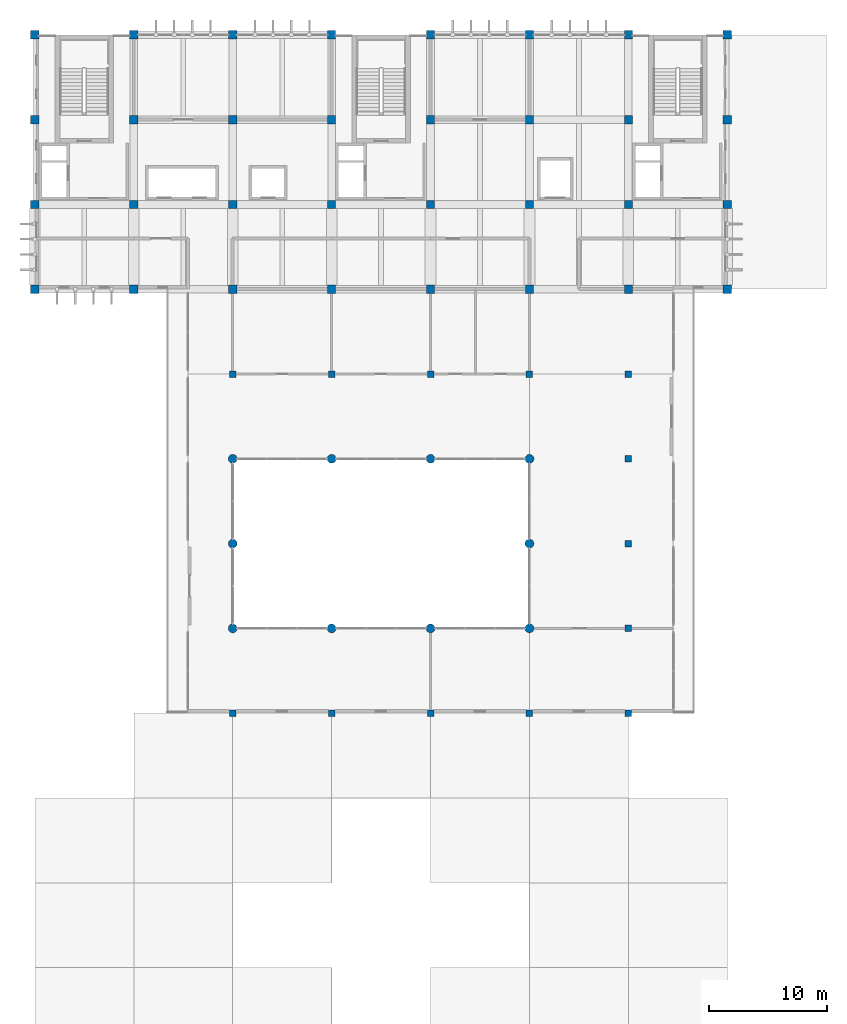
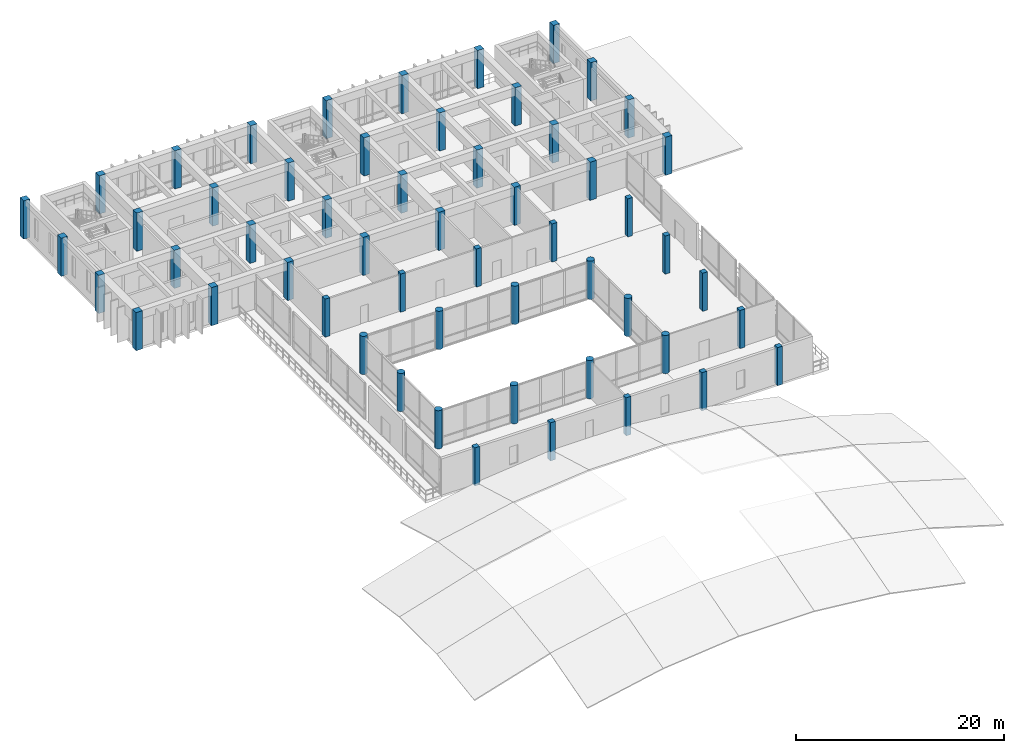
# One storey, part 1 of 17: 55 columns.
"""IFC4 building model written with IfcOpenShell, lengths in metres."""

from ifc_helpers import new_model, si_unit, direction, frame, origin, origin_2d, place, context, subcontext, project, spatial, rectangle, circle, extrude, material, material_profile, profile_set, type_object, element, save


model = new_model("IFC4")

# Units and contexts
model_context = context("Model", 3, precision=1e-05, world=origin(), true_north=direction((0.0, 1.0)))
body_context = subcontext(model_context, "Body", "Model", "MODEL_VIEW")
ifc_project = project(units=[si_unit("LENGTHUNIT", "METRE"), si_unit("AREAUNIT", "SQUARE_METRE"), si_unit("VOLUMEUNIT", "CUBIC_METRE"), si_unit("PLANEANGLEUNIT", "RADIAN"), si_unit("MASSUNIT", "GRAM", prefix="KILO")], contexts=[model_context])

# Site, building, storey
site_placement = place(None, origin())
site = spatial("IfcSite", under=ifc_project, at=site_placement, CompositionType="ELEMENT")
building_placement = place(site_placement, origin())
building = spatial("IfcBuilding", under=site, at=building_placement, Name="Kenerak Square Central Library", CompositionType="ELEMENT")
storey_placement = place(building_placement, frame((0.0, 0.0, 23.360107421875)))
storey = spatial("IfcBuildingStorey", under=building, at=storey_placement, Name="L05", CompositionType="ELEMENT", Elevation=23.360107421875)

# Columns
ifc_material = material(Name="Concrete C40/50", Category="concrete")
ifc_material_profile_1 = material_profile(ifc_material, circle(Radius=0.375, at=origin_2d()), Name="RC D750")
ifc_profile_set_1 = profile_set([ifc_material_profile_1], Name="Concrete C40/50")
column_type_1 = type_object("IfcColumnType", Name="Atrium Column C-13 RC D750 C40/50", PredefinedType="COLUMN", material=ifc_profile_set_1)
for number, where, z_axis, x_axis, name in (
    (1, (75.199951171875, 60.0, 0.0), (0.0, 0.0, 1.0), (1.0, 0.0, 0.0), "Column C-13 L05 9/J"),
    (2, (75.199951171875, 67.199951171875, 0.0), (0.0, 0.0, 1.0), (1.0, 0.0, 0.0), "Column C-13 L05 9/K"),
    (3, (75.199951171875, 74.39990234375, 0.0), (0.0, 0.0, 1.0), (1.0, 0.0, 0.0), "Column C-13 L05 9/L"),
    (4, (83.60009765625, 60.0, 0.0), (0.0, 0.0, 1.0), (1.0, 0.0, 0.0), "Column C-13 L05 10/J"),
    (5, (83.60009765625, 74.39990234375, 0.0), (0.0, 0.0, 1.0), (1.0, 0.0, 0.0), "Column C-13 L05 10/L"),
    (6, (92.0, 60.0, 0.0), (0.0, 0.0, 1.0), (1.0, 0.0, 0.0), "Column C-13 L05 11/J"),
    (7, (92.0, 74.39990234375, 0.0), (0.0, 0.0, 1.0), (1.0, 0.0, 0.0), "Column C-13 L05 11/L"),
    (8, (100.39990234375, 60.0, 0.0), (0.0, 0.0, 1.0), (1.0, 0.0, 0.0), "Column C-13 L05 12/J"),
    (9, (100.39990234375, 67.199951171875, 0.0), (0.0, 0.0, 1.0), (1.0, 0.0, 0.0), "Column C-13 L05 12/K"),
    (10, (100.39990234375, 74.39990234375, 0.0), (0.0, 0.0, 1.0), (1.0, 0.0, 0.0), "Column C-13 L05 12/L"),
):
    element("IfcColumn", number, at=place(storey_placement, frame(where, z_axis=z_axis, x_axis=x_axis)), inside=storey, type_object=column_type_1, Name=name, PredefinedType="COLUMN", context=body_context, shape_type="SweptSolid", body=[
        extrude(circle(Radius=0.375, at=origin_2d()), origin(), (0.0, 0.0, 1.0), 4.47998046875),
    ])
ifc_material_profile_2 = material_profile(ifc_material, rectangle(XDim=0.699951171875, YDim=0.699951171875, at=origin_2d()), Name="RC 700x700")
ifc_profile_set_2 = profile_set([ifc_material_profile_2], Name="Concrete C40/50")
column_type_2 = type_object("IfcColumnType", Name="Column C-06 RC 700x700 C40/50", PredefinedType="COLUMN", material=ifc_profile_set_2)
for number, where, z_axis, x_axis, name in (
    (11, (58.39990234375, 88.800048828125, 0.0), (0.0, 0.0, 1.0), (1.0, 0.0, 0.0), "Column C-06 L05 7/N"),
    (12, (58.39990234375, 96.0, 0.0), (0.0, 0.0, 1.0), (1.0, 0.0, 0.0), "Column C-06 L05 7/P"),
    (13, (58.39990234375, 103.199951171875, 0.0), (0.0, 0.0, 1.0), (1.0, 0.0, 0.0), "Column C-06 L05 7/Q"),
    (14, (58.39990234375, 110.39990234375, 0.0), (0.0, 0.0, 1.0), (1.0, 0.0, 0.0), "Column C-06 L05 7/R"),
    (15, (66.800048828125, 88.800048828125, 0.0), (0.0, 0.0, 1.0), (1.0, 0.0, 0.0), "Column C-06 L05 8/N"),
    (16, (66.800048828125, 96.0, 0.0), (0.0, 0.0, 1.0), (1.0, 0.0, 0.0), "Column C-06 L05 8/P"),
    (17, (66.800048828125, 103.199951171875, 0.0), (0.0, 0.0, 1.0), (1.0, 0.0, 0.0), "Column C-06 L05 8/Q"),
    (18, (66.800048828125, 110.39990234375, 0.0), (0.0, 0.0, 1.0), (1.0, 0.0, 0.0), "Column C-06 L05 8/R"),
    (19, (75.199951171875, 88.800048828125, 0.0), (0.0, 0.0, 1.0), (1.0, 0.0, 0.0), "Column C-06 L05 9/N"),
    (20, (75.199951171875, 96.0, 0.0), (0.0, 0.0, 1.0), (1.0, 0.0, 0.0), "Column C-06 L05 9/P"),
    (21, (75.199951171875, 103.199951171875, 0.0), (0.0, 0.0, 1.0), (1.0, 0.0, 0.0), "Column C-06 L05 9/Q"),
    (22, (75.199951171875, 110.39990234375, 0.0), (0.0, 0.0, 1.0), (1.0, 0.0, 0.0), "Column C-06 L05 9/R"),
    (23, (83.60009765625, 88.800048828125, 0.0), (0.0, 0.0, 1.0), (1.0, 0.0, 0.0), "Column C-06 L05 10/N"),
    (24, (83.60009765625, 96.0, 0.0), (0.0, 0.0, 1.0), (1.0, 0.0, 0.0), "Column C-06 L05 10/P"),
    (25, (83.60009765625, 103.199951171875, 0.0), (0.0, 0.0, 1.0), (1.0, 0.0, 0.0), "Column C-06 L05 10/Q"),
    (26, (83.60009765625, 110.39990234375, 0.0), (0.0, 0.0, 1.0), (1.0, 0.0, 0.0), "Column C-06 L05 10/R"),
    (27, (92.0, 88.800048828125, 0.0), (0.0, 0.0, 1.0), (1.0, 0.0, 0.0), "Column C-06 L05 11/N"),
    (28, (92.0, 96.0, 0.0), (0.0, 0.0, 1.0), (1.0, 0.0, 0.0), "Column C-06 L05 11/P"),
    (29, (92.0, 103.199951171875, 0.0), (0.0, 0.0, 1.0), (1.0, 0.0, 0.0), "Column C-06 L05 11/Q"),
    (30, (92.0, 110.39990234375, 0.0), (0.0, 0.0, 1.0), (1.0, 0.0, 0.0), "Column C-06 L05 11/R"),
    (31, (100.39990234375, 88.800048828125, 0.0), (0.0, 0.0, 1.0), (1.0, 0.0, 0.0), "Column C-06 L05 12/N"),
    (32, (100.39990234375, 96.0, 0.0), (0.0, 0.0, 1.0), (1.0, 0.0, 0.0), "Column C-06 L05 12/P"),
    (33, (100.39990234375, 103.199951171875, 0.0), (0.0, 0.0, 1.0), (1.0, 0.0, 0.0), "Column C-06 L05 12/Q"),
    (34, (100.39990234375, 110.39990234375, 0.0), (0.0, 0.0, 1.0), (1.0, 0.0, 0.0), "Column C-06 L05 12/R"),
    (35, (108.800048828125, 88.800048828125, 0.0), (0.0, 0.0, 1.0), (1.0, 0.0, 0.0), "Column C-06 L05 13/N"),
    (36, (108.800048828125, 96.0, 0.0), (0.0, 0.0, 1.0), (1.0, 0.0, 0.0), "Column C-06 L05 13/P"),
    (37, (108.800048828125, 103.199951171875, 0.0), (0.0, 0.0, 1.0), (1.0, 0.0, 0.0), "Column C-06 L05 13/Q"),
    (38, (108.800048828125, 110.39990234375, 0.0), (0.0, 0.0, 1.0), (1.0, 0.0, 0.0), "Column C-06 L05 13/R"),
    (39, (117.199951171875, 88.800048828125, 0.0), (0.0, 0.0, 1.0), (1.0, 0.0, 0.0), "Column C-06 L05 14/N"),
    (40, (117.199951171875, 96.0, 0.0), (0.0, 0.0, 1.0), (1.0, 0.0, 0.0), "Column C-06 L05 14/P"),
    (41, (117.199951171875, 103.199951171875, 0.0), (0.0, 0.0, 1.0), (1.0, 0.0, 0.0), "Column C-06 L05 14/Q"),
    (42, (117.199951171875, 110.39990234375, 0.0), (0.0, 0.0, 1.0), (1.0, 0.0, 0.0), "Column C-06 L05 14/R"),
):
    element("IfcColumn", number, at=place(storey_placement, frame(where, z_axis=z_axis, x_axis=x_axis)), inside=storey, type_object=column_type_2, Name=name, PredefinedType="COLUMN", context=body_context, shape_type="SweptSolid", body=[
        extrude(rectangle(XDim=0.699951171875, YDim=0.699951171875, at=origin_2d()), origin(), (0.0, 0.0, 1.0), 4.47998046875),
    ])
ifc_material_profile_3 = material_profile(ifc_material, rectangle(XDim=0.550048828125, YDim=0.550048828125, at=origin_2d()), Name="RC 550x550")
ifc_profile_set_3 = profile_set([ifc_material_profile_3], Name="Concrete C40/50")
column_type_3 = type_object("IfcColumnType", Name="Column C-09 RC 550x550 C40/50", PredefinedType="COLUMN", material=ifc_profile_set_3)
for number, where, z_axis, x_axis, name in (
    (43, (75.199951171875, 52.800048828125, 0.0), (0.0, 0.0, 1.0), (1.0, 0.0, 0.0), "Column C-09 L05 9/H"),
    (44, (75.199951171875, 81.60009765625, 0.0), (0.0, 0.0, 1.0), (1.0, 0.0, 0.0), "Column C-09 L05 9/M"),
    (45, (83.60009765625, 52.800048828125, 0.0), (0.0, 0.0, 1.0), (1.0, 0.0, 0.0), "Column C-09 L05 10/H"),
    (46, (83.60009765625, 81.60009765625, 0.0), (0.0, 0.0, 1.0), (1.0, 0.0, 0.0), "Column C-09 L05 10/M"),
    (47, (92.0, 52.800048828125, 0.0), (0.0, 0.0, 1.0), (1.0, 0.0, 0.0), "Column C-09 L05 11/H"),
    (48, (92.0, 81.60009765625, 0.0), (0.0, 0.0, 1.0), (1.0, 0.0, 0.0), "Column C-09 L05 11/M"),
    (49, (100.39990234375, 52.800048828125, 0.0), (0.0, 0.0, 1.0), (1.0, 0.0, 0.0), "Column C-09 L05 12/H"),
    (50, (100.39990234375, 81.60009765625, 0.0), (0.0, 0.0, 1.0), (1.0, 0.0, 0.0), "Column C-09 L05 12/M"),
    (51, (108.800048828125, 52.800048828125, 0.0), (0.0, 0.0, 1.0), (1.0, 0.0, 0.0), "Column C-09 L05 13/H"),
    (52, (108.800048828125, 60.0, 0.0), (0.0, 0.0, 1.0), (1.0, 0.0, 0.0), "Column C-09 L05 13/J"),
    (53, (108.800048828125, 67.199951171875, 0.0), (0.0, 0.0, 1.0), (1.0, 0.0, 0.0), "Column C-09 L05 13/K"),
    (54, (108.800048828125, 74.39990234375, 0.0), (0.0, 0.0, 1.0), (1.0, 0.0, 0.0), "Column C-09 L05 13/L"),
    (55, (108.800048828125, 81.60009765625, 0.0), (0.0, 0.0, 1.0), (1.0, 0.0, 0.0), "Column C-09 L05 13/M"),
):
    element("IfcColumn", number, at=place(storey_placement, frame(where, z_axis=z_axis, x_axis=x_axis)), inside=storey, type_object=column_type_3, Name=name, PredefinedType="COLUMN", context=body_context, shape_type="SweptSolid", body=[
        extrude(rectangle(XDim=0.550048828125, YDim=0.550048828125, at=origin_2d()), origin(), (0.0, 0.0, 1.0), 4.47998046875),
    ])

save(model, "model.ifc")
